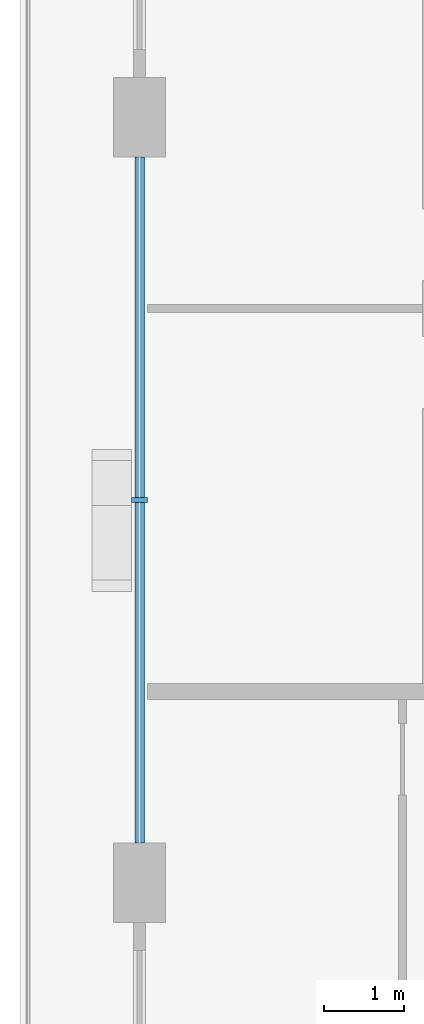
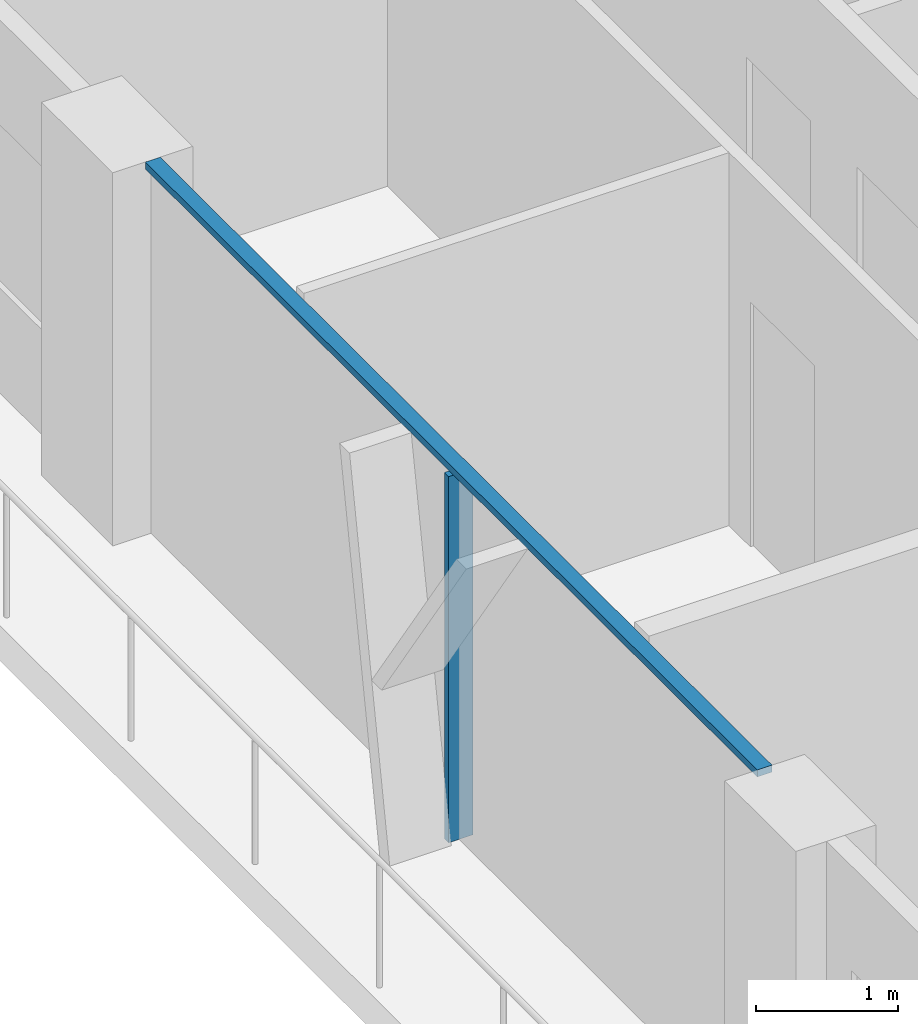
# One storey, part 3 of 22: 2 members, 1 element without a shape of its own.
"""IFC4 building model written with IfcOpenShell, lengths in metres."""

from ifc_helpers import new_model, si_unit, direction, frame, origin, origin_2d, place, context, subcontext, project, spatial, rectangle, extrude, material, layer, layer_set, material_profile, profile_set, type_object, element, aggregate, save


model = new_model("IFC4")

# Units and contexts
model_context = context("Model", 3, precision=1e-05, world=origin(), true_north=direction((0.0, 1.0)))
body_context = subcontext(model_context, "Body", "Model", "MODEL_VIEW")
ifc_project = project(units=[si_unit("LENGTHUNIT", "METRE"), si_unit("AREAUNIT", "SQUARE_METRE"), si_unit("VOLUMEUNIT", "CUBIC_METRE"), si_unit("PLANEANGLEUNIT", "RADIAN"), si_unit("MASSUNIT", "GRAM", prefix="KILO")], contexts=[model_context])

# Site, building, storey
site_placement = place(None, origin())
site = spatial("IfcSite", under=ifc_project, at=site_placement, CompositionType="ELEMENT")
building_placement = place(site_placement, origin())
building = spatial("IfcBuilding", under=site, at=building_placement, Name="Madar Terraces", CompositionType="ELEMENT")
storey_placement = place(building_placement, frame((0.0, 0.0, 192.89990234375)))
storey = spatial("IfcBuildingStorey", under=building, at=storey_placement, Name="L50", CompositionType="ELEMENT", Elevation=192.89990234375)

# Curtain wall, members
ifc_material_1 = material(Name="Glass, ceramic frit dark grey, with black aluminium frame", Category="aluminium")
ifc_layer = layer(ifc_material_1, 0.199951171875)
ifc_layer_set = layer_set([ifc_layer], Name="Facade curtain wall, fritted glass")
curtain_wall_type = type_object("IfcCurtainWallType", Name="Facade curtain wall, fritted glass", PredefinedType="NOTDEFINED", material=ifc_layer_set)
curtain_wall_placement = place(storey_placement, origin())
curtain_wall = element("IfcCurtainWall", 1, at=curtain_wall_placement, inside=storey, type_object=curtain_wall_type, Name="Outer skin curtain wall west bay 2", PredefinedType="NOTDEFINED")
ifc_material_2 = material(Name="Aluminium, black anodised", Category="aluminium")
ifc_material_profile_1 = material_profile(ifc_material_2, rectangle(XDim=0.199951171875, YDim=0.06005859375, at=origin_2d()), Name="Facade mullion 60x200")
ifc_profile_set_1 = profile_set([ifc_material_profile_1], Name="Aluminium, black anodised")
member_type_1 = type_object("IfcMemberType", Name="Facade mullion 60x200", PredefinedType="MULLION", material=ifc_profile_set_1)
member_1_placement = place(storey_placement, frame((4.800048828125, 28.800048828125, 0.0), z_axis=(0.0, 0.0, 1.0), x_axis=(1.0, 0.0, 0.0)))
member_1 = element("IfcMember", 2, at=member_1_placement, type_object=member_type_1, Name="Mullion 1", PredefinedType="MULLION", context=body_context, shape_type="SweptSolid", body=[
    extrude(rectangle(XDim=0.199951171875, YDim=0.06005859375, at=origin_2d()), origin(), (0.0, 0.0, 1.0), 3.14013671875),
])
ifc_material_3 = material(Name="Aluminium, black anodised", Category="aluminium")
ifc_material_profile_2 = material_profile(ifc_material_3, rectangle(XDim=0.1201171875, YDim=0.06005859375, at=origin_2d()), Name="Facade transom 60x120")
ifc_profile_set_2 = profile_set([ifc_material_profile_2], Name="Aluminium, black anodised")
member_type_2 = type_object("IfcMemberType", Name="Facade transom 60x120", PredefinedType="USERDEFINED", material=ifc_profile_set_2)
member_2_placement = place(storey_placement, frame((4.800048828125, 33.10009765625, 3.170166015625), z_axis=(0.0, -1.0, 0.0), x_axis=(1.0, 0.0, 0.0)))
member_2 = element("IfcMember", 3, at=member_2_placement, type_object=member_type_2, Name="Transom 1", ObjectType="TRANSOM", PredefinedType="USERDEFINED", context=body_context, shape_type="SweptSolid", body=[
    extrude(rectangle(XDim=0.1201171875, YDim=0.06005859375, at=origin_2d()), origin(), (0.0, 0.0, 1.0), 8.60009765625),
])
aggregate(curtain_wall, [member_1, member_2])

save(model, "model.ifc")
